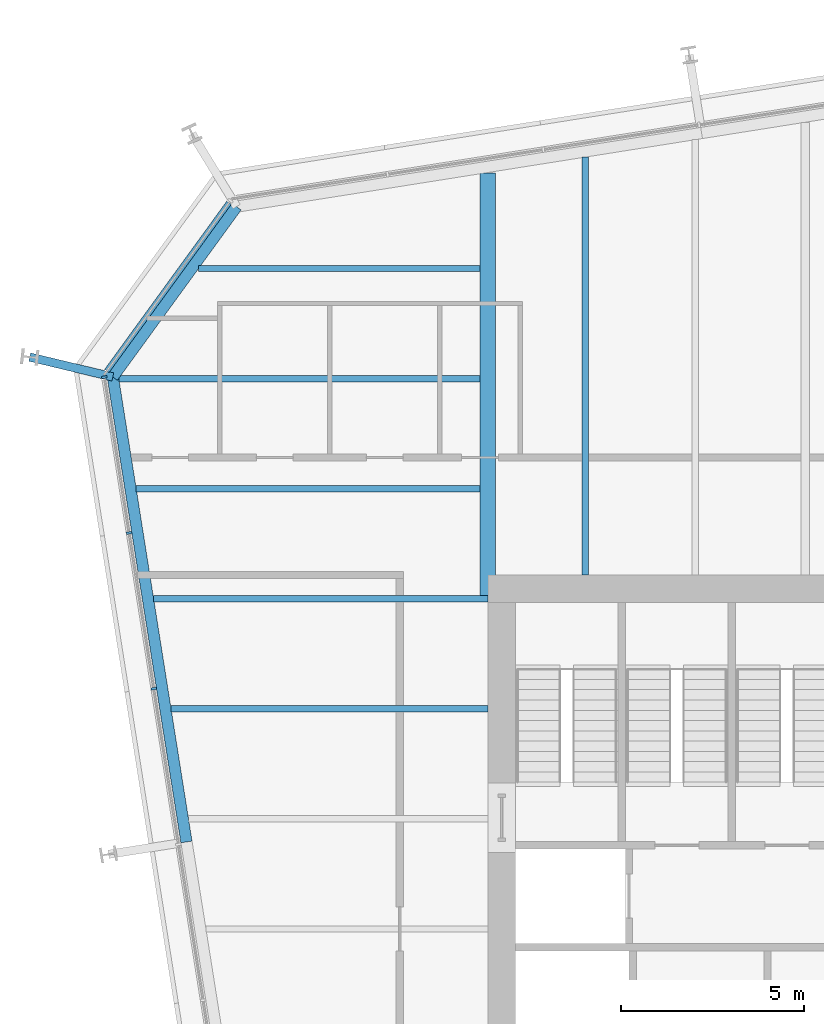
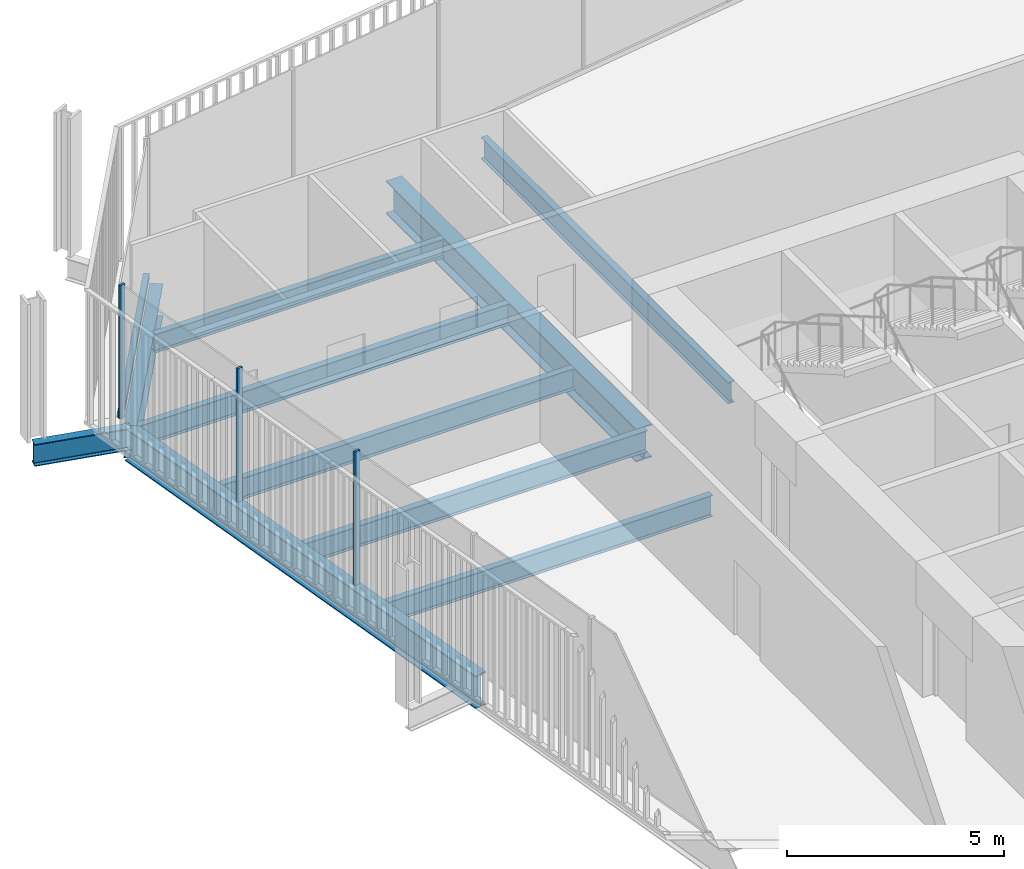
# One storey, part 10 of 21: 10 beams, 4 members, 2 elements without a shape of their own.
"""IFC4 building model written with IfcOpenShell, lengths in metres."""

from ifc_helpers import new_model, si_unit, direction, frame, origin, origin_2d, place, context, subcontext, project, spatial, rectangle, i_section, extrude, material, layer, layer_set, material_profile, profile_set, type_object, element, aggregate, save


model = new_model("IFC4")

# Units and contexts
model_context = context("Model", 3, precision=1e-05, world=origin(), true_north=direction((0.0, 1.0)))
body_context = subcontext(model_context, "Body", "Model", "MODEL_VIEW")
ifc_project = project(units=[si_unit("LENGTHUNIT", "METRE"), si_unit("AREAUNIT", "SQUARE_METRE"), si_unit("VOLUMEUNIT", "CUBIC_METRE"), si_unit("PLANEANGLEUNIT", "RADIAN"), si_unit("MASSUNIT", "GRAM", prefix="KILO")], contexts=[model_context])

# Site, building, storey
site_placement = place(None, origin())
site = spatial("IfcSite", under=ifc_project, at=site_placement, CompositionType="ELEMENT")
building_placement = place(site_placement, origin())
building = spatial("IfcBuilding", under=site, at=building_placement, Name="Millrace Tower", CompositionType="ELEMENT")
storey_placement = place(building_placement, frame((0.0, 0.0, 191.699951171875)))
storey = spatial("IfcBuildingStorey", under=building, at=storey_placement, Name="L43", CompositionType="ELEMENT", Elevation=191.699951171875)

# Curtain wall, members
ifc_material_1 = material(Name="Aluminium and glass", Category="aluminium")
ifc_layer = layer(ifc_material_1, 0.14990234375)
ifc_layer_set = layer_set([ifc_layer], Name="Aluminium and glass")
curtain_wall_type = type_object("IfcCurtainWallType", Name="CW-1 office vision curtain wall", PredefinedType="NOTDEFINED", material=ifc_layer_set)
placement = place(storey_placement, origin())
curtain_wall_1 = element("IfcCurtainWall", 1, at=placement, inside=storey, type_object=curtain_wall_type, Name="Curtain wall C-F08 L43", PredefinedType="NOTDEFINED")
ifc_material_2 = material(Name="Aluminium", Category="aluminium")
ifc_material_profile_1 = material_profile(ifc_material_2, rectangle(XDim=0.06494140625, YDim=0.14990234375, at=origin_2d()))
ifc_profile_set_1 = profile_set([ifc_material_profile_1], Name="Aluminium")
member_type_1 = type_object("IfcMemberType", Name="CW-1 office vision curtain wall mullion", PredefinedType="MULLION", material=ifc_profile_set_1)
member_1_placement = place(storey_placement, frame((-25.106689453125, 15.041748046875, 0.14013671875), z_axis=(0.0, 0.0, 1.0), x_axis=(0.15643447328, -0.98768833929, 0.0)))
member_1 = element("IfcMember", 2, at=member_1_placement, type_object=member_type_1, Name="CW1 mullion C-F08.1", PredefinedType="MULLION", context=body_context, shape_type="SweptSolid", body=[
    extrude(rectangle(XDim=0.06494140625, YDim=0.14990234375, at=origin_2d()), origin(), (0.0, 0.0, 1.0), 3.760009765625),
])
member_2_placement = place(storey_placement, frame((-24.43408203125, 10.794677734375, 0.14013671875), z_axis=(0.0, 0.0, 1.0), x_axis=(0.15643447328, -0.98768833929, 0.0)))
member_2 = element("IfcMember", 3, at=member_2_placement, type_object=member_type_1, Name="CW1 mullion C-F08.2", PredefinedType="MULLION", context=body_context, shape_type="SweptSolid", body=[
    extrude(rectangle(XDim=0.06494140625, YDim=0.14990234375, at=origin_2d()), origin(), (0.0, 0.0, 1.0), 3.760009765625),
])
member_3_placement = place(storey_placement, frame((-23.76123046875, 6.547607421875, 0.14013671875), z_axis=(0.0, 0.0, 1.0), x_axis=(0.15643447328, -0.98768833929, 0.0)))
member_3 = element("IfcMember", 4, at=member_3_placement, type_object=member_type_1, Name="CW1 mullion C-F08.3", PredefinedType="MULLION", context=body_context, shape_type="SweptSolid", body=[
    extrude(rectangle(XDim=0.06494140625, YDim=0.14990234375, at=origin_2d()), origin(), (0.0, 0.0, 1.0), 3.760009765625),
])
aggregate(curtain_wall_1, [member_1, member_2, member_3])

# Curtain wall, member
curtain_wall_2 = element("IfcCurtainWall", 5, at=placement, inside=storey, type_object=curtain_wall_type, Name="Curtain wall C-F07 L43", PredefinedType="NOTDEFINED")
ifc_material_3 = material(Name="Aluminium", Category="aluminium")
ifc_material_profile_2 = material_profile(ifc_material_3, rectangle(XDim=0.14990234375, YDim=0.139892578125, at=origin_2d()))
ifc_profile_set_2 = profile_set([ifc_material_profile_2], Name="Aluminium")
member_type_2 = type_object("IfcMemberType", Name="CW-1 office vision curtain wall transom", PredefinedType="USERDEFINED", material=ifc_profile_set_2)
member_4_placement = place(storey_placement, frame((-21.70751953125, 19.796875, 0.070068359375), z_axis=(-0.587761915215, -0.80903394924, 0.0), x_axis=(0.80903394924, -0.587761915215, 0.0)))
member_4 = element("IfcMember", 6, at=member_4_placement, type_object=member_type_2, Name="CW1 transom C-F07.1", ObjectType="TRANSOM", PredefinedType="USERDEFINED", context=body_context, shape_type="SweptSolid", body=[
    extrude(rectangle(XDim=0.14990234375, YDim=0.139892578125, at=origin_2d()), origin(), (0.0, 0.0, 1.0), 5.6689453125),
])
aggregate(curtain_wall_2, [member_4])

# Beams
ifc_material_4 = material(Name="Steel ASTM A992 Grade 50", Category="steel")
ifc_material_profile_3 = material_profile(ifc_material_4, i_section(OverallWidth=0.1650390625, OverallDepth=0.52587890625, WebThickness=0.0087890625, FlangeThickness=0.011474609375, FilletRadius=0.0126953125, at=origin_2d()))
ifc_profile_set_3 = profile_set([ifc_material_profile_3], Name="Steel ASTM A992 Grade 50")
beam_type_1 = type_object("IfcBeamType", Name="Floor beam W21x44", PredefinedType="JOIST", material=ifc_profile_set_3)
beam_1_placement = place(storey_placement, frame((-22.540283203125, 18.0, -0.4228515625), z_axis=(1.0, 0.0, 0.0), x_axis=(0.0, 1.0, 0.0)))
element("IfcBeam", 7, at=beam_1_placement, inside=storey, type_object=beam_type_1, Name="BM-C-L43-S1-S035", PredefinedType="JOIST", context=body_context, shape_type="SweptSolid", body=[
    extrude(i_section(OverallWidth=0.1650390625, OverallDepth=0.52587890625, WebThickness=0.0087890625, FlangeThickness=0.011474609375, FilletRadius=0.0126953125, at=origin_2d()), origin(), (0.0, 0.0, 1.0), 7.6806640625),
])
ifc_material_5 = material(Name="Steel ASTM A992 Grade 50", Category="steel")
ifc_material_profile_4 = material_profile(ifc_material_5, i_section(OverallWidth=0.177978515625, OverallDepth=0.599365234375, WebThickness=0.010009765625, FlangeThickness=0.012939453125, FilletRadius=0.012939453125, at=origin_2d()))
ifc_profile_set_4 = profile_set([ifc_material_profile_4], Name="Steel ASTM A992 Grade 50")
beam_type_2 = type_object("IfcBeamType", Name="Floor beam W24x55", PredefinedType="JOIST", material=ifc_profile_set_4)
beam_2_placement = place(storey_placement, frame((-23.28759765625, 6.0, -0.459716796875), z_axis=(1.0, 0.0, 0.0), x_axis=(0.0, 1.0, 0.0)))
element("IfcBeam", 8, at=beam_2_placement, inside=storey, type_object=beam_type_2, Name="BM-C-L43-S1-S026", PredefinedType="JOIST", context=body_context, shape_type="SweptSolid", body=[
    extrude(i_section(OverallWidth=0.177978515625, OverallDepth=0.599365234375, WebThickness=0.010009765625, FlangeThickness=0.012939453125, FilletRadius=0.012939453125, at=origin_2d()), origin(), (0.0, 0.0, 1.0), 8.6376953125),
])
beam_3_placement = place(storey_placement, frame((-23.7626953125, 9.0, -0.459716796875), z_axis=(1.0, 0.0, 0.0), x_axis=(0.0, 1.0, 0.0)))
element("IfcBeam", 9, at=beam_3_placement, inside=storey, type_object=beam_type_2, Name="BM-C-L43-S1-S029", PredefinedType="JOIST", context=body_context, shape_type="SweptSolid", body=[
    extrude(i_section(OverallWidth=0.177978515625, OverallDepth=0.599365234375, WebThickness=0.010009765625, FlangeThickness=0.012939453125, FilletRadius=0.012939453125, at=origin_2d()), origin(), (0.0, 0.0, 1.0), 9.11279296875),
])
beam_4_placement = place(storey_placement, frame((-24.23779296875, 12.0, -0.459716796875), z_axis=(1.0, 0.0, 0.0), x_axis=(0.0, 1.0, 0.0)))
element("IfcBeam", 10, at=beam_4_placement, inside=storey, type_object=beam_type_2, Name="BM-C-L43-S1-S031", PredefinedType="JOIST", context=body_context, shape_type="SweptSolid", body=[
    extrude(i_section(OverallWidth=0.177978515625, OverallDepth=0.599365234375, WebThickness=0.010009765625, FlangeThickness=0.012939453125, FilletRadius=0.012939453125, at=origin_2d()), origin(), (0.0, 0.0, 1.0), 9.378173828125),
])
beam_5_placement = place(storey_placement, frame((-24.712890625, 15.0, -0.459716796875), z_axis=(1.0, 0.0, 0.0), x_axis=(0.0, 1.0, 0.0)))
element("IfcBeam", 11, at=beam_5_placement, inside=storey, type_object=beam_type_2, Name="BM-C-L43-S1-S033", PredefinedType="JOIST", context=body_context, shape_type="SweptSolid", body=[
    extrude(i_section(OverallWidth=0.177978515625, OverallDepth=0.599365234375, WebThickness=0.010009765625, FlangeThickness=0.012939453125, FilletRadius=0.012939453125, at=origin_2d()), origin(), (0.0, 0.0, 1.0), 9.853271484375),
])
ifc_material_6 = material(Name="Steel ASTM A992 Grade 50", Category="steel")
ifc_material_profile_5 = material_profile(ifc_material_6, i_section(OverallWidth=0.1787109375, OverallDepth=0.60205078125, WebThickness=0.010986328125, FlangeThickness=0.014892578125, FilletRadius=0.0126953125, at=origin_2d()))
ifc_profile_set_5 = profile_set([ifc_material_profile_5], Name="Steel ASTM A992 Grade 50")
beam_type_3 = type_object("IfcBeamType", Name="Floor beam W24x62", PredefinedType="JOIST", material=ifc_profile_set_5)
beam_6_placement = place(storey_placement, frame((-12.0, 9.64990234375, -0.4609375), z_axis=(0.0, 1.0, 0.0), x_axis=(-1.0, 0.0, 0.0)))
element("IfcBeam", 12, at=beam_6_placement, inside=storey, type_object=beam_type_3, Name="BM-C-L43-S1-S039", PredefinedType="JOIST", context=body_context, shape_type="SweptSolid", body=[
    extrude(i_section(OverallWidth=0.1787109375, OverallDepth=0.60205078125, WebThickness=0.010986328125, FlangeThickness=0.014892578125, FilletRadius=0.0126953125, at=origin_2d()), origin(), (0.0, 0.0, 1.0), 11.39111328125),
])
ifc_material_7 = material(Name="Steel ASTM A992 Grade 50", Category="steel")
ifc_material_profile_6 = material_profile(ifc_material_7, i_section(OverallWidth=0.419189453125, OverallDepth=0.927001953125, WebThickness=0.019287109375, FlangeThickness=0.031982421875, FilletRadius=0.024169921875, at=origin_2d()))
ifc_profile_set_6 = profile_set([ifc_material_profile_6], Name="Steel ASTM A992 Grade 50")
beam_type_4 = type_object("IfcBeamType", Name="Girder short span W36x231", PredefinedType="BEAM", material=ifc_profile_set_6)
beam_7_placement = place(storey_placement, frame((-14.64990234375, 9.090087890625, -0.62353515625), z_axis=(0.0, 1.0, 0.0), x_axis=(-1.0, 0.0, 0.0)))
element("IfcBeam", 13, at=beam_7_placement, inside=storey, type_object=beam_type_4, Name="BM-C-L43-S1-G057", PredefinedType="BEAM", context=body_context, shape_type="SweptSolid", body=[
    extrude(i_section(OverallWidth=0.419189453125, OverallDepth=0.927001953125, WebThickness=0.019287109375, FlangeThickness=0.031982421875, FilletRadius=0.024169921875, at=origin_2d()), origin(), (0.0, 0.0, 1.0), 11.523193359375),
])
ifc_material_8 = material(Name="Steel ASTM A992 Grade 50", Category="steel")
ifc_material_profile_7 = material_profile(ifc_material_8, i_section(OverallWidth=0.23046875, OverallDepth=0.6171875, WebThickness=0.01318359375, FlangeThickness=0.022216796875, FilletRadius=0.012939453125, at=origin_2d()))
ifc_profile_set_7 = profile_set([ifc_material_profile_7], Name="Steel ASTM A992 Grade 50")
beam_type_5 = type_object("IfcBeamType", Name="Link beam W24x94", PredefinedType="BEAM", material=ifc_profile_set_7)
beam_8_placement = place(storey_placement, frame((-24.8759765625, 15.046630859375, -0.468505859375), z_axis=(-0.972367333652, 0.233456138164, 0.0), x_axis=(-0.233456138164, -0.972367333652, 0.0)))
element("IfcBeam", 14, at=beam_8_placement, inside=storey, type_object=beam_type_5, Name="LNK-C-L43-S1-04", PredefinedType="BEAM", context=body_context, shape_type="SweptSolid", body=[
    extrude(i_section(OverallWidth=0.23046875, OverallDepth=0.6171875, WebThickness=0.01318359375, FlangeThickness=0.022216796875, FilletRadius=0.012939453125, at=origin_2d()), origin(), (0.0, 0.0, 1.0), 2.3310546875),
])
ifc_material_9 = material(Name="Steel ASTM A992 Grade 50", Category="steel")
ifc_material_profile_8 = material_profile(ifc_material_9, i_section(OverallWidth=0.307373046875, OverallDepth=0.927001953125, WebThickness=0.01953125, FlangeThickness=0.031982421875, FilletRadius=0.01904296875, at=origin_2d()))
ifc_profile_set_8 = profile_set([ifc_material_profile_8], Name="Steel ASTM A992 Grade 50")
beam_type_6 = type_object("IfcBeamType", Name="Ring beam medium span W36x194", PredefinedType="SPANDREL", material=ifc_profile_set_8)
beam_9_placement = place(storey_placement, frame((-22.867919921875, 2.368408203125, -0.62353515625), z_axis=(-0.156436246498, 0.987688058438, 0.0), x_axis=(-0.987688058438, -0.156436246498, 0.0)))
element("IfcBeam", 15, at=beam_9_placement, inside=storey, type_object=beam_type_6, Name="RNG-C-L43-S1-03", PredefinedType="SPANDREL", context=body_context, shape_type="SweptSolid", body=[
    extrude(i_section(OverallWidth=0.307373046875, OverallDepth=0.927001953125, WebThickness=0.01953125, FlangeThickness=0.031982421875, FilletRadius=0.01904296875, at=origin_2d()), origin(), (0.0, 0.0, 1.0), 12.836181640625),
])
ifc_material_10 = material(Name="Steel ASTM A992 Grade 50", Category="steel")
ifc_material_profile_9 = material_profile(ifc_material_10, i_section(OverallWidth=0.307373046875, OverallDepth=0.927001953125, WebThickness=0.01953125, FlangeThickness=0.031982421875, FilletRadius=0.01904296875, at=origin_2d()))
ifc_profile_set_9 = profile_set([ifc_material_profile_9], Name="Steel ASTM A992 Grade 50")
beam_type_7 = type_object("IfcBeamType", Name="Ring beam short span W36x194", PredefinedType="SPANDREL", material=ifc_profile_set_9)
beam_10_placement = place(storey_placement, frame((-24.8759765625, 15.046630859375, -0.62353515625), z_axis=(0.587787348381, 0.809015471473, 0.0), x_axis=(-0.809015471473, 0.587787348381, 0.0)))
element("IfcBeam", 16, at=beam_10_placement, inside=storey, type_object=beam_type_7, Name="RNG-C-L43-S1-04", PredefinedType="SPANDREL", context=body_context, shape_type="SweptSolid", body=[
    extrude(i_section(OverallWidth=0.307373046875, OverallDepth=0.927001953125, WebThickness=0.01953125, FlangeThickness=0.031982421875, FilletRadius=0.01904296875, at=origin_2d()), origin(), (0.0, 0.0, 1.0), 5.741943359375),
])

save(model, "model.ifc")
